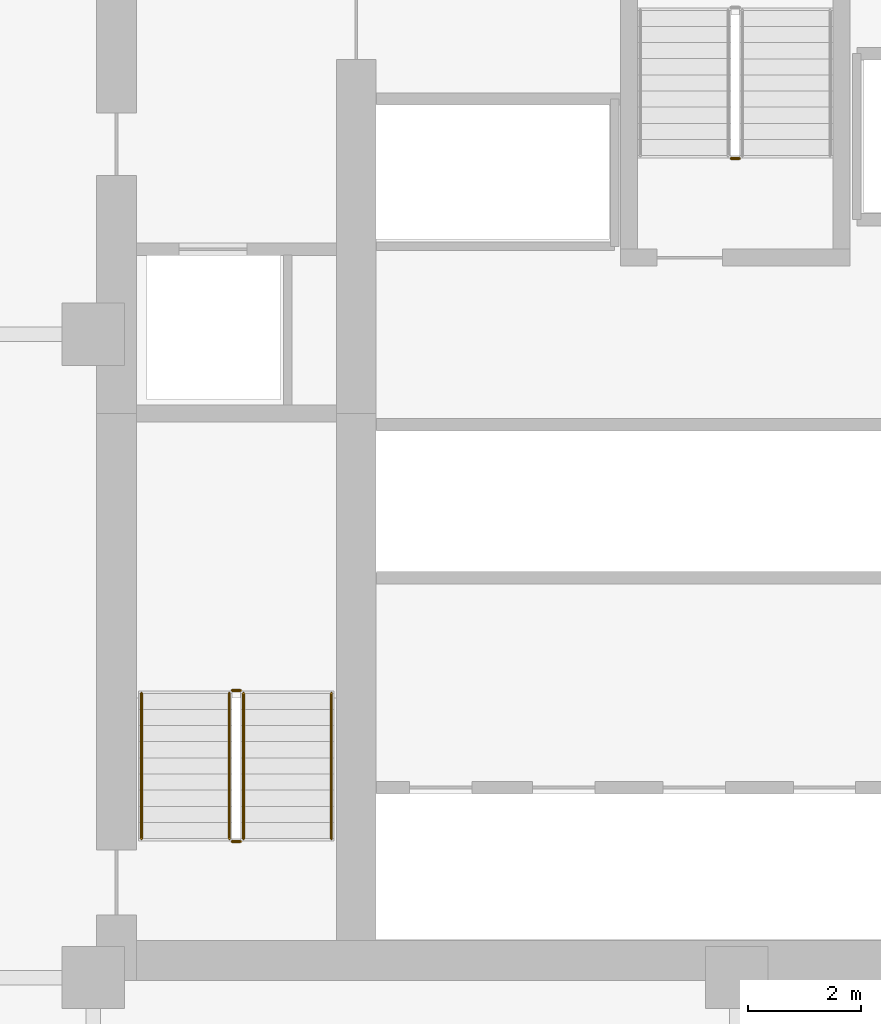
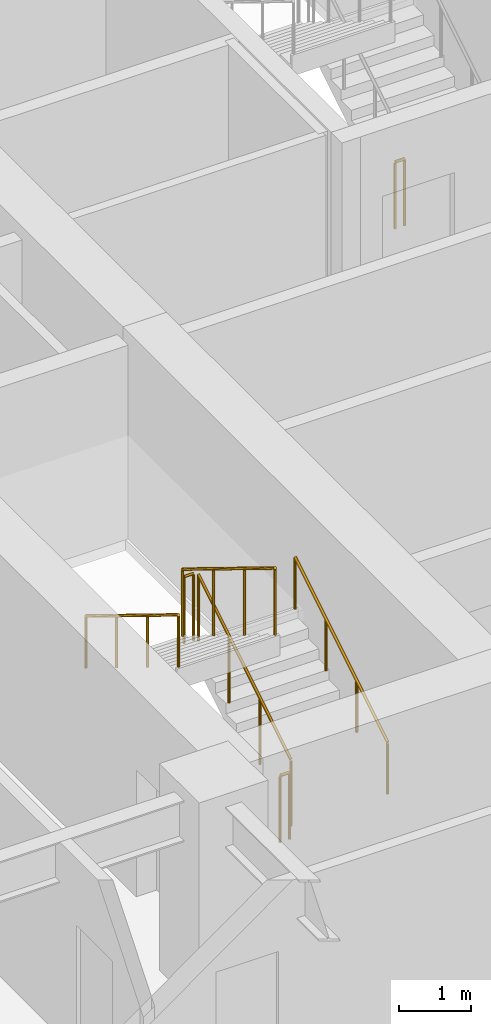
# One storey, part 11 of 13: 7 railings.
"""IFC4 building model written with IfcOpenShell, lengths in metres."""

from ifc_helpers import new_model, si_unit, direction, frame, origin, origin_2d, place, context, subcontext, project, spatial, circle, extrude, material, type_object, element, save


model = new_model("IFC4")

# Units and contexts
model_context = context("Model", 3, precision=1e-05, world=origin(), true_north=direction((0.0, 1.0)))
body_context = subcontext(model_context, "Body", "Model", "MODEL_VIEW")
ifc_project = project(units=[si_unit("LENGTHUNIT", "METRE"), si_unit("AREAUNIT", "SQUARE_METRE"), si_unit("VOLUMEUNIT", "CUBIC_METRE"), si_unit("PLANEANGLEUNIT", "RADIAN"), si_unit("MASSUNIT", "GRAM", prefix="KILO")], contexts=[model_context])

# Site, building, storey
site_placement = place(None, origin())
site = spatial("IfcSite", under=ifc_project, at=site_placement, CompositionType="ELEMENT")
building_placement = place(site_placement, origin())
building = spatial("IfcBuilding", under=site, at=building_placement, Name="Nhamokura Convention Tower", CompositionType="ELEMENT")
storey_placement = place(building_placement, frame((0.0, 0.0, 92.75)))
storey = spatial("IfcBuildingStorey", under=building, at=storey_placement, Name="L22", CompositionType="ELEMENT", Elevation=92.75)

# Railings
ifc_material_1 = material(Name="Anodised bronze stainless steel", Category="steel")
railing_type_1 = type_object("IfcRailingType", Name="StairWallHandrail_900", PredefinedType="HANDRAIL", material=ifc_material_1)
railing_1_placement = place(storey_placement, frame((24.85009765625, 23.10009765625, 0.175048828125)))
element("IfcRailing", 1, at=railing_1_placement, inside=storey, type_object=railing_type_1, Name="L22 ST-01 stair handrail 1", PredefinedType="HANDRAIL", context=body_context, shape_type="SweptSolid", body=[
    extrude(circle(Radius=0.02392578125, at=origin_2d()), frame((0.0, 0.0, 0.8759765625), z_axis=(0.0, 0.852173129349, 0.523259933127), x_axis=(-1.0, 0.0, 0.0)), (0.0, 0.0, 1.0), 3.009765625),
    extrude(circle(Radius=0.02099609375, at=origin_2d()), origin(), (0.0, 0.0, 1.0), 0.851806640625),
    extrude(circle(Radius=0.02099609375, at=origin_2d()), frame((0.0, 0.85498046875, 0.52490234375)), (0.0, 0.0, 1.0), 0.851806640625),
    extrude(circle(Radius=0.02099609375, at=origin_2d()), frame((0.0, 1.7099609375, 1.050048828125)), (0.0, 0.0, 1.0), 0.851806640625),
    extrude(circle(Radius=0.02099609375, at=origin_2d()), frame((0.0, 2.56494140625, 1.574951171875)), (0.0, 0.0, 1.0), 0.851806640625),
])
railing_2_placement = place(storey_placement, frame((21.5, 25.6650390625, 1.925048828125)))
element("IfcRailing", 2, at=railing_2_placement, inside=storey, type_object=railing_type_1, Name="L22 ST-01 stair handrail 2", PredefinedType="HANDRAIL", context=body_context, shape_type="SweptSolid", body=[
    extrude(circle(Radius=0.02392578125, at=origin_2d()), frame((0.0, 0.0, 0.8759765625), z_axis=(0.0, -0.852173129349, 0.523259933127), x_axis=(1.0, 0.0, 0.0)), (0.0, 0.0, 1.0), 3.009765625),
    extrude(circle(Radius=0.02099609375, at=origin_2d()), origin(), (0.0, 0.0, 1.0), 0.851806640625),
    extrude(circle(Radius=0.02099609375, at=origin_2d()), frame((0.0, -0.85498046875, 0.52490234375)), (0.0, 0.0, 1.0), 0.851806640625),
    extrude(circle(Radius=0.02099609375, at=origin_2d()), frame((0.0, -1.7099609375, 1.050048828125)), (0.0, 0.0, 1.0), 0.851806640625),
    extrude(circle(Radius=0.02099609375, at=origin_2d()), frame((0.0, -2.56494140625, 1.574951171875)), (0.0, 0.0, 1.0), 0.851806640625),
])
ifc_material_2 = material(Name="Painted tubular steel", Category="steel")
railing_type_2 = type_object("IfcRailingType", Name="StairWellGuardrail_1150", PredefinedType="GUARDRAIL", material=ifc_material_2)
railing_3_placement = place(storey_placement, frame((23.300048828125, 23.10009765625, 0.175048828125)))
element("IfcRailing", 3, at=railing_3_placement, inside=storey, type_object=railing_type_2, Name="L22 ST-01 stair guard 1", PredefinedType="GUARDRAIL", context=body_context, shape_type="SweptSolid", body=[
    extrude(circle(Radius=0.02392578125, at=origin_2d()), frame((0.0, 0.0, 1.1259765625), z_axis=(0.0, 0.852173129349, 0.523259933127), x_axis=(-1.0, 0.0, 0.0)), (0.0, 0.0, 1.0), 3.009765625),
    extrude(circle(Radius=0.02099609375, at=origin_2d()), origin(), (0.0, 0.0, 1.0), 1.101806640625),
    extrude(circle(Radius=0.02099609375, at=origin_2d()), frame((0.0, 0.85498046875, 0.52490234375)), (0.0, 0.0, 1.0), 1.101806640625),
    extrude(circle(Radius=0.02099609375, at=origin_2d()), frame((0.0, 1.7099609375, 1.050048828125)), (0.0, 0.0, 1.0), 1.101806640625),
    extrude(circle(Radius=0.02099609375, at=origin_2d()), frame((0.0, 2.56494140625, 1.574951171875)), (0.0, 0.0, 1.0), 1.101806640625),
])
railing_4_placement = place(storey_placement, frame((23.25, 25.715087890625, 1.75)))
element("IfcRailing", 4, at=railing_4_placement, inside=storey, type_object=railing_type_2, Name="L22 ST-01 stair guard 2", PredefinedType="GUARDRAIL", context=body_context, shape_type="SweptSolid", body=[
    extrude(circle(Radius=0.02392578125, at=origin_2d()), frame((0.0, 0.0, 1.1259765625), z_axis=(-1.0, 0.0, 0.0), x_axis=(0.0, -1.0, 0.0)), (0.0, 0.0, 1.0), 0.14990234375),
    extrude(circle(Radius=0.02099609375, at=origin_2d()), origin(), (0.0, 0.0, 1.0), 1.101806640625),
    extrude(circle(Radius=0.02099609375, at=origin_2d()), frame((-0.14990234375, 0.0, 0.0)), (0.0, 0.0, 1.0), 1.101806640625),
])
railing_5_placement = place(storey_placement, frame((23.050048828125, 25.6650390625, 1.925048828125)))
element("IfcRailing", 5, at=railing_5_placement, inside=storey, type_object=railing_type_2, Name="L22 ST-01 stair guard 3", PredefinedType="GUARDRAIL", context=body_context, shape_type="SweptSolid", body=[
    extrude(circle(Radius=0.02392578125, at=origin_2d()), frame((0.0, 0.0, 1.1259765625), z_axis=(0.0, -0.852173129349, 0.523259933127), x_axis=(1.0, 0.0, 0.0)), (0.0, 0.0, 1.0), 3.009765625),
    extrude(circle(Radius=0.02099609375, at=origin_2d()), origin(), (0.0, 0.0, 1.0), 1.101806640625),
    extrude(circle(Radius=0.02099609375, at=origin_2d()), frame((0.0, -0.85498046875, 0.52490234375)), (0.0, 0.0, 1.0), 1.101806640625),
    extrude(circle(Radius=0.02099609375, at=origin_2d()), frame((0.0, -1.7099609375, 1.050048828125)), (0.0, 0.0, 1.0), 1.101806640625),
    extrude(circle(Radius=0.02099609375, at=origin_2d()), frame((0.0, -2.56494140625, 1.574951171875)), (0.0, 0.0, 1.0), 1.101806640625),
])
railing_6_placement = place(storey_placement, frame((23.25, 23.050048828125, 0.0)))
element("IfcRailing", 6, at=railing_6_placement, inside=storey, type_object=railing_type_2, Name="L22 ST-01 stair guard 4", PredefinedType="GUARDRAIL", context=body_context, shape_type="SweptSolid", body=[
    extrude(circle(Radius=0.02392578125, at=origin_2d()), frame((0.0, 0.0, 1.1259765625), z_axis=(-1.0, 0.0, 0.0), x_axis=(0.0, -1.0, 0.0)), (0.0, 0.0, 1.0), 0.14990234375),
    extrude(circle(Radius=0.02099609375, at=origin_2d()), origin(), (0.0, 0.0, 1.0), 1.101806640625),
    extrude(circle(Radius=0.02099609375, at=origin_2d()), frame((-0.14990234375, 0.0, 0.0)), (0.0, 0.0, 1.0), 1.101806640625),
])
railing_7_placement = place(storey_placement, frame((32.050048828125, 35.10009765625, 0.0)))
element("IfcRailing", 7, at=railing_7_placement, inside=storey, type_object=railing_type_2, Name="L22 ST-03 stair guard 4", PredefinedType="GUARDRAIL", context=body_context, shape_type="SweptSolid", body=[
    extrude(circle(Radius=0.02392578125, at=origin_2d()), frame((0.0, 0.0, 1.1259765625), z_axis=(-1.0, 0.0, 0.0), x_axis=(0.0, -1.0, 0.0)), (0.0, 0.0, 1.0), 0.150146484375),
    extrude(circle(Radius=0.02099609375, at=origin_2d()), origin(), (0.0, 0.0, 1.0), 1.101806640625),
    extrude(circle(Radius=0.02099609375, at=origin_2d()), frame((-0.150146484375, 0.0, 0.0)), (0.0, 0.0, 1.0), 1.101806640625),
])

save(model, "model.ifc")
